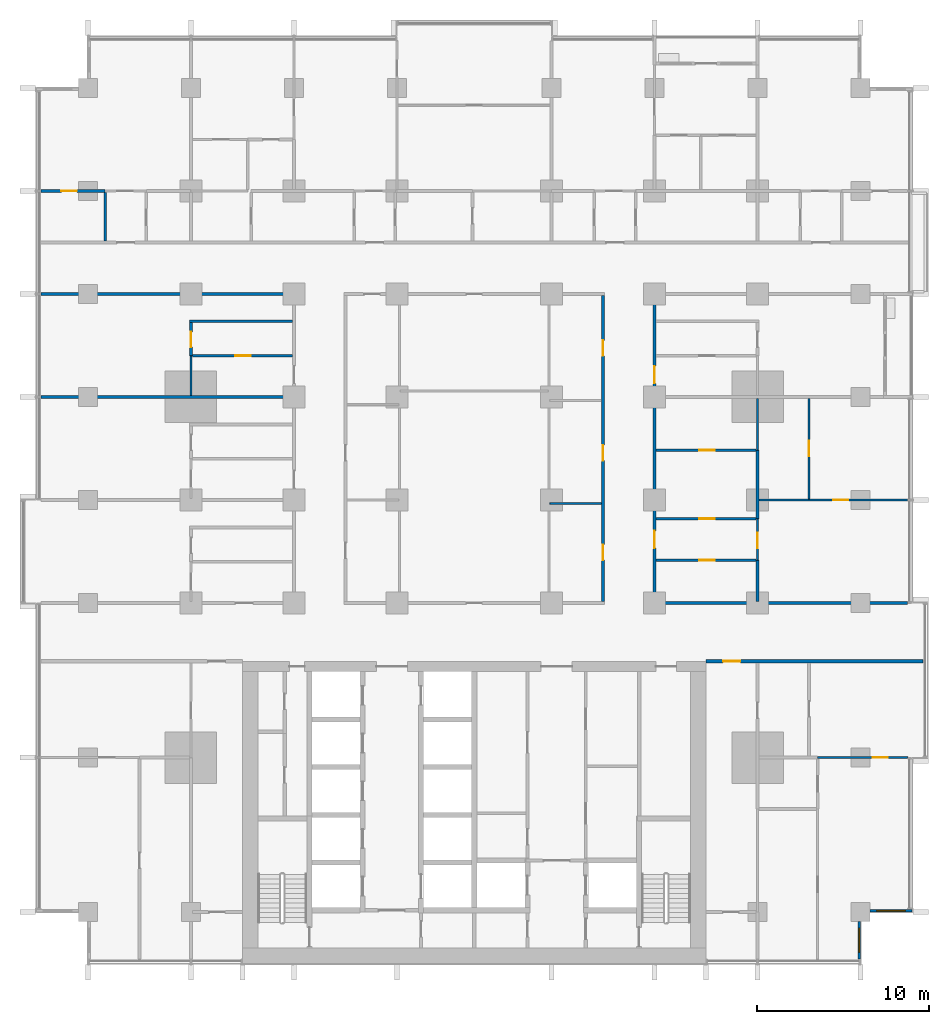
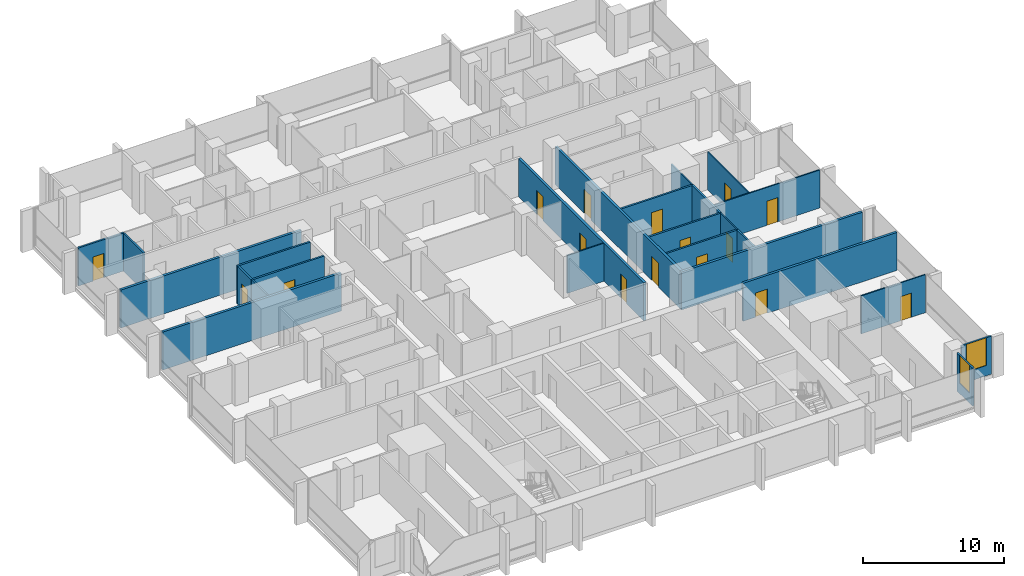
# One storey, part 10 of 18: 25 walls, 16 doors, 2 windows, 18 openings.
"""IFC4 building model written with IfcOpenShell, lengths in metres."""

from ifc_helpers import new_model, si_unit, direction, frame, frame_2d, origin, place, context, subcontext, project, spatial, rectangle, extrude, material, layer, layer_set, type_object, element, fill, save


model = new_model("IFC4")

# Units and contexts
model_context = context("Model", 3, precision=1e-05, world=origin(), true_north=direction((0.0, 1.0)))
body_context = subcontext(model_context, "Body", "Model", "MODEL_VIEW")
ifc_project = project(units=[si_unit("LENGTHUNIT", "METRE"), si_unit("AREAUNIT", "SQUARE_METRE"), si_unit("VOLUMEUNIT", "CUBIC_METRE"), si_unit("PLANEANGLEUNIT", "RADIAN"), si_unit("MASSUNIT", "GRAM", prefix="KILO")], contexts=[model_context])

# Site, building, storey
site_placement = place(None, origin())
site = spatial("IfcSite", under=ifc_project, at=site_placement, CompositionType="ELEMENT")
building_placement = place(site_placement, origin())
building = spatial("IfcBuilding", under=site, at=building_placement, Name="Finial Court Residences", CompositionType="ELEMENT")
storey_placement = place(building_placement, frame((0.0, 0.0, 68.5)))
storey = spatial("IfcBuildingStorey", under=building, at=storey_placement, Name="L16", CompositionType="ELEMENT", Elevation=68.5)

# Wall
ifc_material_1 = material(Name="Gypsum board")
ifc_layer_1 = layer(ifc_material_1, 0.02490234375)
ifc_material_2 = material(Name="Acoustic mineral wool in double frame")
ifc_layer_2 = layer(ifc_material_2, 0.14990234375)
ifc_layer_3 = layer(ifc_material_1, 0.02490234375)
ifc_layer_set_1 = layer_set([ifc_layer_1, ifc_layer_2, ifc_layer_3], Name="Acoustic party wall 200, 1 hour")
wall_type_1 = type_object("IfcWallType", Name="Acoustic party wall 200, 1 hour", PredefinedType="PARTITIONING", material=ifc_layer_set_1)
wall_1_placement = place(storey_placement, frame((-25.25, 7.5, 0.0), z_axis=(0.0, 0.0, 1.0), x_axis=(1.0, 0.0, 0.0)))
element("IfcWall", 1, at=wall_1_placement, inside=storey, type_object=wall_type_1, Name="Partition L16-025", PredefinedType="PARTITIONING", context=body_context, shape_type="SweptSolid", body=[
    extrude(rectangle(XDim=14.64990234375, YDim=0.199951171875, at=frame_2d((7.324951171875, 0.0))), origin(), (0.0, 0.0, 1.0), 3.300048828125),
])

# Wall, opening, door
ifc_layer_4 = layer(ifc_material_1, 0.02490234375)
ifc_layer_5 = layer(ifc_material_2, 0.14990234375)
ifc_layer_6 = layer(ifc_material_1, 0.02490234375)
ifc_layer_set_2 = layer_set([ifc_layer_4, ifc_layer_5, ifc_layer_6], Name="Corridor wall 200, 1 hour")
wall_type_2 = type_object("IfcWallType", Name="Corridor wall 200, 1 hour", PredefinedType="PARTITIONING", material=ifc_layer_set_2)
wall_2_placement = place(storey_placement, frame((13.5, -7.89990234375, 0.0), z_axis=(0.0, 0.0, 1.0), x_axis=(1.0, 0.0, 0.0)))
wall_2 = element("IfcWall", 2, at=wall_2_placement, inside=storey, type_object=wall_type_2, Name="Partition L16-008", PredefinedType="PARTITIONING", context=body_context, shape_type="SweptSolid", body=[
    extrude(rectangle(XDim=12.64990234375, YDim=0.199951171875, at=frame_2d((6.324951171875, 0.0))), origin(), (0.0, 0.0, 1.0), 3.300048828125),
])
opening_1_placement = place(wall_2_placement, frame((1.0, 0.0, 0.0)))
opening_1 = element("IfcOpeningElement", 3, at=opening_1_placement, cuts=wall_2, Name="Opening L16-D006", PredefinedType="OPENING", context=body_context, shape_type="SweptSolid", body=[
    extrude(rectangle(XDim=1.0, YDim=2.10009765625, at=frame_2d((0.5, 1.050048828125))), frame((0.0, 0.10986328125, 0.0), z_axis=(0.0, -1.0, 0.0), x_axis=(1.0, 0.0, 0.0)), (0.0, 0.0, 1.0), 0.219970703125),
])
ifc_material_3 = material(Name="Timber door leaf in hollow metal frame", Category="wood")
door_type_1 = type_object("IfcDoorType", Name="Fire door set 1000 x 2100, 30 minutes", OperationType="SINGLE_SWING_LEFT", PredefinedType="DOOR", material=ifc_material_3)
door_1_placement = place(opening_1_placement, origin())
door_1 = element("IfcDoor", 4, at=door_1_placement, inside=storey, type_object=door_type_1, Name="Door L16-D006", OperationType="SINGLE_SWING_LEFT", OverallHeight=2.10009765625, OverallWidth=1.0, PredefinedType="DOOR", context=body_context, shape_type="SweptSolid", body=[
    extrude(rectangle(XDim=1.0, YDim=2.10009765625, at=frame_2d((0.5, 1.050048828125))), frame((0.0, 0.02490234375, 0.0), z_axis=(0.0, -1.0, 0.0), x_axis=(1.0, 0.0, 0.0)), (0.0, 0.0, 1.0), 0.050048828125),
])
fill(opening_1, door_1)

# Walls
for number, where, z_axis, x_axis, name in (
    (5, (10.39990234375, -4.5, 0.0), (0.0, 0.0, 1.0), (1.0, 0.0, 0.0), "Partition L16-011"),
    (6, (-25.25, 13.5, 0.0), (0.0, 0.0, 1.0), (1.0, 0.0, 0.0), "Partition L16-032"),
):
    element("IfcWall", number, at=place(storey_placement, frame(where, z_axis=z_axis, x_axis=x_axis)), inside=storey, type_object=wall_type_2, Name=name, PredefinedType="PARTITIONING", context=body_context, shape_type="SweptSolid", body=[
        extrude(rectangle(XDim=14.85009765625, YDim=0.199951171875, at=frame_2d((7.425048828125, 0.0))), origin(), (0.0, 0.0, 1.0), 3.300048828125),
    ])

# Wall, openings, doors
wall_3_placement = place(storey_placement, frame((7.5, -4.39990234375, 0.0), z_axis=(0.0, 0.0, 1.0), x_axis=(0.0, 1.0, 0.0)))
wall_3 = element("IfcWall", 7, at=wall_3_placement, inside=storey, type_object=wall_type_2, Name="Partition L16-082", PredefinedType="PARTITIONING", context=body_context, shape_type="SweptSolid", body=[
    extrude(rectangle(XDim=17.7998046875, YDim=0.199951171875, at=frame_2d((8.89990234375, 0.0))), origin(), (0.0, 0.0, 1.0), 3.300048828125),
])
opening_2_placement = place(wall_3_placement, frame((2.39990234375, 0.0, 0.0)))
opening_2 = element("IfcOpeningElement", 8, at=opening_2_placement, cuts=wall_3, Name="Opening L16-D051", PredefinedType="OPENING", context=body_context, shape_type="SweptSolid", body=[
    extrude(rectangle(XDim=0.89990234375, YDim=2.10009765625, at=frame_2d((0.449951171875, 1.050048828125))), frame((0.0, 0.10986328125, 0.0), z_axis=(0.0, -1.0, 0.0), x_axis=(1.0, 0.0, 0.0)), (0.0, 0.0, 1.0), 0.219970703125),
])
opening_3_placement = place(wall_3_placement, frame((8.199951171875, 0.0, 0.0)))
opening_3 = element("IfcOpeningElement", 9, at=opening_3_placement, cuts=wall_3, Name="Opening L16-D052", PredefinedType="OPENING", context=body_context, shape_type="SweptSolid", body=[
    extrude(rectangle(XDim=0.89990234375, YDim=2.10009765625, at=frame_2d((0.449951171875, 1.050048828125))), frame((0.0, 0.10986328125, 0.0), z_axis=(0.0, -1.0, 0.0), x_axis=(1.0, 0.0, 0.0)), (0.0, 0.0, 1.0), 0.219970703125),
])
opening_4_placement = place(wall_3_placement, frame((14.300048828125, 0.0, 0.0)))
opening_4 = element("IfcOpeningElement", 10, at=opening_4_placement, cuts=wall_3, Name="Opening L16-D053", PredefinedType="OPENING", context=body_context, shape_type="SweptSolid", body=[
    extrude(rectangle(XDim=0.89990234375, YDim=2.10009765625, at=frame_2d((0.449951171875, 1.050048828125))), frame((0.0, 0.10986328125, 0.0), z_axis=(0.0, -1.0, 0.0), x_axis=(1.0, 0.0, 0.0)), (0.0, 0.0, 1.0), 0.219970703125),
])
door_type_2 = type_object("IfcDoorType", Name="Fire door set 900 x 2100, 30 minutes", OperationType="SINGLE_SWING_LEFT", PredefinedType="DOOR", material=ifc_material_3)
door_2_placement = place(opening_2_placement, origin())
door_2 = element("IfcDoor", 11, at=door_2_placement, inside=storey, type_object=door_type_2, Name="Door L16-D051", OperationType="SINGLE_SWING_RIGHT", OverallHeight=2.10009765625, OverallWidth=0.89990234375, PredefinedType="DOOR", context=body_context, shape_type="SweptSolid", body=[
    extrude(rectangle(XDim=0.89990234375, YDim=2.10009765625, at=frame_2d((0.449951171875, 1.050048828125))), frame((0.0, 0.02490234375, 0.0), z_axis=(0.0, -1.0, 0.0), x_axis=(1.0, 0.0, 0.0)), (0.0, 0.0, 1.0), 0.050048828125),
])
fill(opening_2, door_2)
door_3_placement = place(opening_3_placement, origin())
door_3 = element("IfcDoor", 12, at=door_3_placement, inside=storey, type_object=door_type_2, Name="Door L16-D052", OperationType="SINGLE_SWING_RIGHT", OverallHeight=2.10009765625, OverallWidth=0.89990234375, PredefinedType="DOOR", context=body_context, shape_type="SweptSolid", body=[
    extrude(rectangle(XDim=0.89990234375, YDim=2.10009765625, at=frame_2d((0.449951171875, 1.050048828125))), frame((0.0, 0.02490234375, 0.0), z_axis=(0.0, -1.0, 0.0), x_axis=(1.0, 0.0, 0.0)), (0.0, 0.0, 1.0), 0.050048828125),
])
fill(opening_3, door_3)
door_4_placement = place(opening_4_placement, origin())
door_4 = element("IfcDoor", 13, at=door_4_placement, inside=storey, type_object=door_type_2, Name="Door L16-D053", OperationType="SINGLE_SWING_LEFT", OverallHeight=2.10009765625, OverallWidth=0.89990234375, PredefinedType="DOOR", context=body_context, shape_type="SweptSolid", body=[
    extrude(rectangle(XDim=0.89990234375, YDim=2.10009765625, at=frame_2d((0.449951171875, 1.050048828125))), frame((0.0, 0.02490234375, 0.0), z_axis=(0.0, -1.0, 0.0), x_axis=(1.0, 0.0, 0.0)), (0.0, 0.0, 1.0), 0.050048828125),
])
fill(opening_4, door_4)

wall_4_placement = place(storey_placement, frame((10.5, -4.39990234375, 0.0), z_axis=(0.0, 0.0, 1.0), x_axis=(0.0, 1.0, 0.0)))
wall_4 = element("IfcWall", 14, at=wall_4_placement, inside=storey, type_object=wall_type_2, Name="Partition L16-084", PredefinedType="PARTITIONING", context=body_context, shape_type="SweptSolid", body=[
    extrude(rectangle(XDim=17.7998046875, YDim=0.199951171875, at=frame_2d((8.89990234375, 0.0))), origin(), (0.0, 0.0, 1.0), 3.300048828125),
])
opening_5_placement = place(wall_4_placement, frame((3.10009765625, 0.0, 0.0)))
opening_5 = element("IfcOpeningElement", 15, at=opening_5_placement, cuts=wall_4, Name="Opening L16-D055", PredefinedType="OPENING", context=body_context, shape_type="SweptSolid", body=[
    extrude(rectangle(XDim=1.0, YDim=2.10009765625, at=frame_2d((0.5, 1.050048828125))), frame((0.0, 0.10986328125, 0.0), z_axis=(0.0, -1.0, 0.0), x_axis=(1.0, 0.0, 0.0)), (0.0, 0.0, 1.0), 0.219970703125),
])
opening_6_placement = place(wall_4_placement, frame((12.699951171875, 0.0, 0.0)))
opening_6 = element("IfcOpeningElement", 16, at=opening_6_placement, cuts=wall_4, Name="Opening L16-D056", PredefinedType="OPENING", context=body_context, shape_type="SweptSolid", body=[
    extrude(rectangle(XDim=1.0, YDim=2.10009765625, at=frame_2d((0.5, 1.050048828125))), frame((0.0, 0.10986328125, 0.0), z_axis=(0.0, -1.0, 0.0), x_axis=(1.0, 0.0, 0.0)), (0.0, 0.0, 1.0), 0.219970703125),
])
door_5_placement = place(opening_5_placement, origin())
door_5 = element("IfcDoor", 17, at=door_5_placement, inside=storey, type_object=door_type_1, Name="Door L16-D055", OperationType="SINGLE_SWING_LEFT", OverallHeight=2.10009765625, OverallWidth=1.0, PredefinedType="DOOR", context=body_context, shape_type="SweptSolid", body=[
    extrude(rectangle(XDim=1.0, YDim=2.10009765625, at=frame_2d((0.5, 1.050048828125))), frame((0.0, 0.02490234375, 0.0), z_axis=(0.0, -1.0, 0.0), x_axis=(1.0, 0.0, 0.0)), (0.0, 0.0, 1.0), 0.050048828125),
])
fill(opening_5, door_5)
door_6_placement = place(opening_6_placement, origin())
door_6 = element("IfcDoor", 18, at=door_6_placement, inside=storey, type_object=door_type_1, Name="Door L16-D056", OperationType="SINGLE_SWING_RIGHT", OverallHeight=2.10009765625, OverallWidth=1.0, PredefinedType="DOOR", context=body_context, shape_type="SweptSolid", body=[
    extrude(rectangle(XDim=1.0, YDim=2.10009765625, at=frame_2d((0.5, 1.050048828125))), frame((0.0, 0.02490234375, 0.0), z_axis=(0.0, -1.0, 0.0), x_axis=(1.0, 0.0, 0.0)), (0.0, 0.0, 1.0), 0.050048828125),
])
fill(opening_6, door_6)

# Wall, opening, door
ifc_layer_7 = layer(ifc_material_1, 0.012451171875)
ifc_material_4 = material(Name="Mineral wool in light-gauge frame")
ifc_layer_8 = layer(ifc_material_4, 0.074951171875)
ifc_layer_9 = layer(ifc_material_1, 0.012451171875)
ifc_layer_set_3 = layer_set([ifc_layer_7, ifc_layer_8, ifc_layer_9], Name="Gypsum board partition 100")
wall_type_3 = type_object("IfcWallType", Name="Gypsum board partition 100", PredefinedType="PARTITIONING", material=ifc_layer_set_3)
wall_5_placement = place(storey_placement, frame((20.0, -13.5, 0.0), z_axis=(0.0, 0.0, 1.0), x_axis=(1.0, 0.0, 0.0)))
wall_5 = element("IfcWall", 19, at=wall_5_placement, inside=storey, type_object=wall_type_3, Name="Partition L16-004", PredefinedType="PARTITIONING", context=body_context, shape_type="SweptSolid", body=[
    extrude(rectangle(XDim=5.25, YDim=0.10009765625, at=frame_2d((2.625, 0.0))), origin(), (0.0, 0.0, 1.0), 3.300048828125),
])
opening_7_placement = place(wall_5_placement, frame((3.199951171875, 0.0, 0.0)))
opening_7 = element("IfcOpeningElement", 20, at=opening_7_placement, cuts=wall_5, Name="Opening L16-D004", PredefinedType="OPENING", context=body_context, shape_type="SweptSolid", body=[
    extrude(rectangle(XDim=0.89990234375, YDim=2.10009765625, at=frame_2d((0.449951171875, 1.050048828125))), frame((0.0, 0.06005859375, 0.0), z_axis=(0.0, -1.0, 0.0), x_axis=(1.0, 0.0, 0.0)), (0.0, 0.0, 1.0), 0.1201171875),
])
ifc_material_5 = material(Name="Timber door leaf in timber frame", Category="wood")
door_type_3 = type_object("IfcDoorType", Name="Door set 900 x 2100", OperationType="SINGLE_SWING_LEFT", PredefinedType="DOOR", material=ifc_material_5)
door_7_placement = place(opening_7_placement, origin())
door_7 = element("IfcDoor", 21, at=door_7_placement, inside=storey, type_object=door_type_3, Name="Door L16-D004", OperationType="SINGLE_SWING_RIGHT", OverallHeight=2.10009765625, OverallWidth=0.89990234375, PredefinedType="DOOR", context=body_context, shape_type="SweptSolid", body=[
    extrude(rectangle(XDim=0.89990234375, YDim=2.10009765625, at=frame_2d((0.449951171875, 1.050048828125))), frame((0.0, 0.02490234375, 0.0), z_axis=(0.0, -1.0, 0.0), x_axis=(1.0, 0.0, 0.0)), (0.0, 0.0, 1.0), 0.050048828125),
])
fill(opening_7, door_7)

# Wall
wall_6_placement = place(storey_placement, frame((4.39990234375, 1.300048828125, 0.0), z_axis=(0.0, 0.0, 1.0), x_axis=(1.0, 0.0, 0.0)))
element("IfcWall", 22, at=wall_6_placement, inside=storey, type_object=wall_type_3, Name="Partition L16-016", PredefinedType="PARTITIONING", context=body_context, shape_type="SweptSolid", body=[
    extrude(rectangle(XDim=3.0, YDim=0.10009765625, at=frame_2d((1.5, 0.0))), origin(), (0.0, 0.0, 1.0), 3.300048828125),
])

# Wall, opening, door
wall_7_placement = place(storey_placement, frame((16.574951171875, 1.5, 0.0), z_axis=(0.0, 0.0, 1.0), x_axis=(1.0, 0.0, 0.0)))
wall_7 = element("IfcWall", 23, at=wall_7_placement, inside=storey, type_object=wall_type_3, Name="Partition L16-018", PredefinedType="PARTITIONING", context=body_context, shape_type="SweptSolid", body=[
    extrude(rectangle(XDim=8.675048828125, YDim=0.10009765625, at=frame_2d((4.33740234375, 0.0))), origin(), (0.0, 0.0, 1.0), 3.300048828125),
])
opening_8_placement = place(wall_7_placement, frame((4.324951171875, 0.0, 0.0)))
opening_8 = element("IfcOpeningElement", 24, at=opening_8_placement, cuts=wall_7, Name="Opening L16-D011", PredefinedType="OPENING", context=body_context, shape_type="SweptSolid", body=[
    extrude(rectangle(XDim=0.89990234375, YDim=2.10009765625, at=frame_2d((0.449951171875, 1.050048828125))), frame((0.0, 0.06005859375, 0.0), z_axis=(0.0, -1.0, 0.0), x_axis=(1.0, 0.0, 0.0)), (0.0, 0.0, 1.0), 0.1201171875),
])
door_8_placement = place(opening_8_placement, origin())
door_8 = element("IfcDoor", 25, at=door_8_placement, inside=storey, type_object=door_type_3, Name="Door L16-D011", OperationType="SINGLE_SWING_LEFT", OverallHeight=2.10009765625, OverallWidth=0.89990234375, PredefinedType="DOOR", context=body_context, shape_type="SweptSolid", body=[
    extrude(rectangle(XDim=0.89990234375, YDim=2.10009765625, at=frame_2d((0.449951171875, 1.050048828125))), frame((0.0, 0.02490234375, 0.0), z_axis=(0.0, -1.0, 0.0), x_axis=(1.0, 0.0, 0.0)), (0.0, 0.0, 1.0), 0.050048828125),
])
fill(opening_8, door_8)

# Wall
wall_8_placement = place(storey_placement, frame((-16.5, 7.60009765625, 0.0), z_axis=(0.0, 0.0, 1.0), x_axis=(0.0, 1.0, 0.0)))
element("IfcWall", 26, at=wall_8_placement, inside=storey, type_object=wall_type_3, Name="Partition L16-060", PredefinedType="PARTITIONING", context=body_context, shape_type="SweptSolid", body=[
    extrude(rectangle(XDim=2.2998046875, YDim=0.10009765625, at=frame_2d((1.14990234375, 0.0))), origin(), (0.0, 0.0, 1.0), 3.300048828125),
])

# Wall, opening, door
wall_9_placement = place(storey_placement, frame((16.5, -2.0, 0.0), z_axis=(0.0, 0.0, 1.0), x_axis=(0.0, 1.0, 0.0)))
wall_9 = element("IfcWall", 27, at=wall_9_placement, inside=storey, type_object=wall_type_3, Name="Partition L16-089", PredefinedType="PARTITIONING", context=body_context, shape_type="SweptSolid", body=[
    extrude(rectangle(XDim=2.39990234375, YDim=0.10009765625, at=frame_2d((1.199951171875, 0.0))), origin(), (0.0, 0.0, 1.0), 3.300048828125),
])
opening_9_placement = place(wall_9_placement, frame((0.699951171875, 0.0, 0.0)))
opening_9 = element("IfcOpeningElement", 28, at=opening_9_placement, cuts=wall_9, Name="Opening L16-D058", PredefinedType="OPENING", context=body_context, shape_type="SweptSolid", body=[
    extrude(rectangle(XDim=0.89990234375, YDim=2.10009765625, at=frame_2d((0.449951171875, 1.050048828125))), frame((0.0, 0.06005859375, 0.0), z_axis=(0.0, -1.0, 0.0), x_axis=(1.0, 0.0, 0.0)), (0.0, 0.0, 1.0), 0.1201171875),
])
door_9_placement = place(opening_9_placement, origin())
door_9 = element("IfcDoor", 29, at=door_9_placement, inside=storey, type_object=door_type_3, Name="Door L16-D058", OperationType="SINGLE_SWING_RIGHT", OverallHeight=2.10009765625, OverallWidth=0.89990234375, PredefinedType="DOOR", context=body_context, shape_type="SweptSolid", body=[
    extrude(rectangle(XDim=0.89990234375, YDim=2.10009765625, at=frame_2d((0.449951171875, 1.050048828125))), frame((0.0, 0.02490234375, 0.0), z_axis=(0.0, -1.0, 0.0), x_axis=(1.0, 0.0, 0.0)), (0.0, 0.0, 1.0), 0.050048828125),
])
fill(opening_9, door_9)

# Wall
wall_10_placement = place(storey_placement, frame((16.5, 4.39990234375, 0.0), z_axis=(0.0, 0.0, 1.0), x_axis=(0.0, 1.0, 0.0)))
element("IfcWall", 30, at=wall_10_placement, inside=storey, type_object=wall_type_3, Name="Partition L16-090", PredefinedType="PARTITIONING", context=body_context, shape_type="SweptSolid", body=[
    extrude(rectangle(XDim=3.0, YDim=0.10009765625, at=frame_2d((1.5, 0.0))), origin(), (0.0, 0.0, 1.0), 3.300048828125),
])

# Wall, opening, door
wall_11_placement = place(storey_placement, frame((19.5, 1.550048828125, 0.0), z_axis=(0.0, 0.0, 1.0), x_axis=(0.0, 1.0, 0.0)))
wall_11 = element("IfcWall", 31, at=wall_11_placement, inside=storey, type_object=wall_type_3, Name="Partition L16-100", PredefinedType="PARTITIONING", context=body_context, shape_type="SweptSolid", body=[
    extrude(rectangle(XDim=5.849853515625, YDim=0.10009765625, at=frame_2d((2.9248046875, 0.0))), origin(), (0.0, 0.0, 1.0), 3.300048828125),
])
opening_10_placement = place(wall_11_placement, frame((2.5, 0.0, 0.0)))
opening_10 = element("IfcOpeningElement", 32, at=opening_10_placement, cuts=wall_11, Name="Opening L16-D062", PredefinedType="OPENING", context=body_context, shape_type="SweptSolid", body=[
    extrude(rectangle(XDim=0.89990234375, YDim=2.10009765625, at=frame_2d((0.449951171875, 1.050048828125))), frame((0.0, 0.06005859375, 0.0), z_axis=(0.0, -1.0, 0.0), x_axis=(1.0, 0.0, 0.0)), (0.0, 0.0, 1.0), 0.1201171875),
])
door_10_placement = place(opening_10_placement, origin())
door_10 = element("IfcDoor", 33, at=door_10_placement, inside=storey, type_object=door_type_3, Name="Door L16-D062", OperationType="SINGLE_SWING_RIGHT", OverallHeight=2.10009765625, OverallWidth=0.89990234375, PredefinedType="DOOR", context=body_context, shape_type="SweptSolid", body=[
    extrude(rectangle(XDim=0.89990234375, YDim=2.10009765625, at=frame_2d((0.449951171875, 1.050048828125))), frame((0.0, 0.02490234375, 0.0), z_axis=(0.0, -1.0, 0.0), x_axis=(1.0, 0.0, 0.0)), (0.0, 0.0, 1.0), 0.050048828125),
])
fill(opening_10, door_10)

ifc_material_6 = material(Name="Moisture-resistant gypsum board")
ifc_layer_10 = layer(ifc_material_6, 0.012451171875)
ifc_layer_11 = layer(ifc_material_4, 0.125)
ifc_layer_12 = layer(ifc_material_6, 0.012451171875)
ifc_layer_set_4 = layer_set([ifc_layer_10, ifc_layer_11, ifc_layer_12], Name="Gypsum board wet-area partition 150")
wall_type_4 = type_object("IfcWallType", Name="Gypsum board wet-area partition 150", PredefinedType="PARTITIONING", material=ifc_layer_set_4)
wall_12_placement = place(storey_placement, frame((10.60009765625, -2.0, 0.0), z_axis=(0.0, 0.0, 1.0), x_axis=(1.0, 0.0, 0.0)))
wall_12 = element("IfcWall", 34, at=wall_12_placement, inside=storey, type_object=wall_type_4, Name="Partition L16-013", PredefinedType="PARTITIONING", context=body_context, shape_type="SweptSolid", body=[
    extrude(rectangle(XDim=5.824951171875, YDim=0.14990234375, at=frame_2d((2.91259765625, 0.0))), origin(), (0.0, 0.0, 1.0), 3.300048828125),
])
opening_11_placement = place(wall_12_placement, frame((2.5, 0.0, 0.0)))
opening_11 = element("IfcOpeningElement", 35, at=opening_11_placement, cuts=wall_12, Name="Opening L16-D009", PredefinedType="OPENING", context=body_context, shape_type="SweptSolid", body=[
    extrude(rectangle(XDim=0.89990234375, YDim=2.10009765625, at=frame_2d((0.449951171875, 1.050048828125))), frame((0.0, 0.0849609375, 0.0), z_axis=(0.0, -1.0, 0.0), x_axis=(1.0, 0.0, 0.0)), (0.0, 0.0, 1.0), 0.169921875),
])
door_11_placement = place(opening_11_placement, origin())
door_11 = element("IfcDoor", 36, at=door_11_placement, inside=storey, type_object=door_type_3, Name="Door L16-D009", OperationType="SINGLE_SWING_LEFT", OverallHeight=2.10009765625, OverallWidth=0.89990234375, PredefinedType="DOOR", context=body_context, shape_type="SweptSolid", body=[
    extrude(rectangle(XDim=0.89990234375, YDim=2.10009765625, at=frame_2d((0.449951171875, 1.050048828125))), frame((0.0, 0.02490234375, 0.0), z_axis=(0.0, -1.0, 0.0), x_axis=(1.0, 0.0, 0.0)), (0.0, 0.0, 1.0), 0.050048828125),
])
fill(opening_11, door_11)

wall_13_placement = place(storey_placement, frame((10.60009765625, 0.39990234375, 0.0), z_axis=(0.0, 0.0, 1.0), x_axis=(1.0, 0.0, 0.0)))
wall_13 = element("IfcWall", 37, at=wall_13_placement, inside=storey, type_object=wall_type_4, Name="Partition L16-015", PredefinedType="PARTITIONING", context=body_context, shape_type="SweptSolid", body=[
    extrude(rectangle(XDim=5.824951171875, YDim=0.14990234375, at=frame_2d((2.91259765625, 0.0))), origin(), (0.0, 0.0, 1.0), 3.300048828125),
])
opening_12_placement = place(wall_13_placement, frame((2.5, 0.0, 0.0)))
opening_12 = element("IfcOpeningElement", 38, at=opening_12_placement, cuts=wall_13, Name="Opening L16-D010", PredefinedType="OPENING", context=body_context, shape_type="SweptSolid", body=[
    extrude(rectangle(XDim=0.89990234375, YDim=2.10009765625, at=frame_2d((0.449951171875, 1.050048828125))), frame((0.0, 0.0849609375, 0.0), z_axis=(0.0, -1.0, 0.0), x_axis=(1.0, 0.0, 0.0)), (0.0, 0.0, 1.0), 0.169921875),
])
door_12_placement = place(opening_12_placement, origin())
door_12 = element("IfcDoor", 39, at=door_12_placement, inside=storey, type_object=door_type_3, Name="Door L16-D010", OperationType="SINGLE_SWING_RIGHT", OverallHeight=2.10009765625, OverallWidth=0.89990234375, PredefinedType="DOOR", context=body_context, shape_type="SweptSolid", body=[
    extrude(rectangle(XDim=0.89990234375, YDim=2.10009765625, at=frame_2d((0.449951171875, 1.050048828125))), frame((0.0, 0.02490234375, 0.0), z_axis=(0.0, -1.0, 0.0), x_axis=(1.0, 0.0, 0.0)), (0.0, 0.0, 1.0), 0.050048828125),
])
fill(opening_12, door_12)

wall_14_placement = place(storey_placement, frame((10.60009765625, 4.39990234375, 0.0), z_axis=(0.0, 0.0, 1.0), x_axis=(1.0, 0.0, 0.0)))
wall_14 = element("IfcWall", 40, at=wall_14_placement, inside=storey, type_object=wall_type_4, Name="Partition L16-021", PredefinedType="PARTITIONING", context=body_context, shape_type="SweptSolid", body=[
    extrude(rectangle(XDim=5.824951171875, YDim=0.14990234375, at=frame_2d((2.91259765625, 0.0))), origin(), (0.0, 0.0, 1.0), 3.300048828125),
])
opening_13_placement = place(wall_14_placement, frame((2.5, 0.0, 0.0)))
opening_13 = element("IfcOpeningElement", 41, at=opening_13_placement, cuts=wall_14, Name="Opening L16-D012", PredefinedType="OPENING", context=body_context, shape_type="SweptSolid", body=[
    extrude(rectangle(XDim=0.89990234375, YDim=2.10009765625, at=frame_2d((0.449951171875, 1.050048828125))), frame((0.0, 0.0849609375, 0.0), z_axis=(0.0, -1.0, 0.0), x_axis=(1.0, 0.0, 0.0)), (0.0, 0.0, 1.0), 0.169921875),
])
door_13_placement = place(opening_13_placement, origin())
door_13 = element("IfcDoor", 42, at=door_13_placement, inside=storey, type_object=door_type_3, Name="Door L16-D012", OperationType="SINGLE_SWING_LEFT", OverallHeight=2.10009765625, OverallWidth=0.89990234375, PredefinedType="DOOR", context=body_context, shape_type="SweptSolid", body=[
    extrude(rectangle(XDim=0.89990234375, YDim=2.10009765625, at=frame_2d((0.449951171875, 1.050048828125))), frame((0.0, 0.02490234375, 0.0), z_axis=(0.0, -1.0, 0.0), x_axis=(1.0, 0.0, 0.0)), (0.0, 0.0, 1.0), 0.050048828125),
])
fill(opening_13, door_13)

wall_15_placement = place(storey_placement, frame((-16.425048828125, 9.89990234375, 0.0), z_axis=(0.0, 0.0, 1.0), x_axis=(1.0, 0.0, 0.0)))
wall_15 = element("IfcWall", 43, at=wall_15_placement, inside=storey, type_object=wall_type_4, Name="Partition L16-028", PredefinedType="PARTITIONING", context=body_context, shape_type="SweptSolid", body=[
    extrude(rectangle(XDim=5.824951171875, YDim=0.14990234375, at=frame_2d((2.91259765625, 0.0))), origin(), (0.0, 0.0, 1.0), 3.300048828125),
])
opening_14_placement = place(wall_15_placement, frame((2.5, 0.0, 0.0)))
opening_14 = element("IfcOpeningElement", 44, at=opening_14_placement, cuts=wall_15, Name="Opening L16-D013", PredefinedType="OPENING", context=body_context, shape_type="SweptSolid", body=[
    extrude(rectangle(XDim=0.89990234375, YDim=2.10009765625, at=frame_2d((0.449951171875, 1.050048828125))), frame((0.0, 0.0849609375, 0.0), z_axis=(0.0, -1.0, 0.0), x_axis=(1.0, 0.0, 0.0)), (0.0, 0.0, 1.0), 0.169921875),
])
door_14_placement = place(opening_14_placement, origin())
door_14 = element("IfcDoor", 45, at=door_14_placement, inside=storey, type_object=door_type_3, Name="Door L16-D013", OperationType="SINGLE_SWING_LEFT", OverallHeight=2.10009765625, OverallWidth=0.89990234375, PredefinedType="DOOR", context=body_context, shape_type="SweptSolid", body=[
    extrude(rectangle(XDim=0.89990234375, YDim=2.10009765625, at=frame_2d((0.449951171875, 1.050048828125))), frame((0.0, 0.02490234375, 0.0), z_axis=(0.0, -1.0, 0.0), x_axis=(1.0, 0.0, 0.0)), (0.0, 0.0, 1.0), 0.050048828125),
])
fill(opening_14, door_14)

# Wall
wall_16_placement = place(storey_placement, frame((-16.574951171875, 11.89990234375, 0.0), z_axis=(0.0, 0.0, 1.0), x_axis=(1.0, 0.0, 0.0)))
element("IfcWall", 46, at=wall_16_placement, inside=storey, type_object=wall_type_4, Name="Partition L16-030", PredefinedType="PARTITIONING", context=body_context, shape_type="SweptSolid", body=[
    extrude(rectangle(XDim=5.974853515625, YDim=0.14990234375, at=frame_2d((2.9873046875, 0.0))), origin(), (0.0, 0.0, 1.0), 3.300048828125),
])

# Wall, opening, door
wall_17_placement = place(storey_placement, frame((-25.25, 19.5, 0.0), z_axis=(0.0, 0.0, 1.0), x_axis=(1.0, 0.0, 0.0)))
wall_17 = element("IfcWall", 47, at=wall_17_placement, inside=storey, type_object=wall_type_4, Name="Partition L16-042", PredefinedType="PARTITIONING", context=body_context, shape_type="SweptSolid", body=[
    extrude(rectangle(XDim=3.75, YDim=0.14990234375, at=frame_2d((1.875, 0.0))), origin(), (0.0, 0.0, 1.0), 3.300048828125),
])
opening_15_placement = place(wall_17_placement, frame((1.199951171875, 0.0, 0.0)))
opening_15 = element("IfcOpeningElement", 48, at=opening_15_placement, cuts=wall_17, Name="Opening L16-D025", PredefinedType="OPENING", context=body_context, shape_type="SweptSolid", body=[
    extrude(rectangle(XDim=0.89990234375, YDim=2.10009765625, at=frame_2d((0.449951171875, 1.050048828125))), frame((0.0, 0.0849609375, 0.0), z_axis=(0.0, -1.0, 0.0), x_axis=(1.0, 0.0, 0.0)), (0.0, 0.0, 1.0), 0.169921875),
])
door_15_placement = place(opening_15_placement, origin())
door_15 = element("IfcDoor", 49, at=door_15_placement, inside=storey, type_object=door_type_3, Name="Door L16-D025", OperationType="SINGLE_SWING_LEFT", OverallHeight=2.10009765625, OverallWidth=0.89990234375, PredefinedType="DOOR", context=body_context, shape_type="SweptSolid", body=[
    extrude(rectangle(XDim=0.89990234375, YDim=2.10009765625, at=frame_2d((0.449951171875, 1.050048828125))), frame((0.0, 0.02490234375, 0.0), z_axis=(0.0, -1.0, 0.0), x_axis=(1.0, 0.0, 0.0)), (0.0, 0.0, 1.0), 0.050048828125),
])
fill(opening_15, door_15)

# Wall
wall_18_placement = place(storey_placement, frame((-21.5, 16.60009765625, 0.0), z_axis=(0.0, 0.0, 1.0), x_axis=(0.0, 1.0, 0.0)))
element("IfcWall", 50, at=wall_18_placement, inside=storey, type_object=wall_type_4, Name="Partition L16-054", PredefinedType="PARTITIONING", context=body_context, shape_type="SweptSolid", body=[
    extrude(rectangle(XDim=2.824951171875, YDim=0.14990234375, at=frame_2d((1.41259765625, 0.0))), origin(), (0.0, 0.0, 1.0), 3.300048828125),
])

# Wall, opening, door
wall_19_placement = place(storey_placement, frame((-16.5, 9.89990234375, 0.0), z_axis=(0.0, 0.0, 1.0), x_axis=(0.0, 1.0, 0.0)))
wall_19 = element("IfcWall", 51, at=wall_19_placement, inside=storey, type_object=wall_type_4, Name="Partition L16-066", PredefinedType="PARTITIONING", context=body_context, shape_type="SweptSolid", body=[
    extrude(rectangle(XDim=1.925048828125, YDim=0.14990234375, at=frame_2d((0.96240234375, 0.0))), origin(), (0.0, 0.0, 1.0), 3.300048828125),
])
opening_16_placement = place(wall_19_placement, frame((0.5, 0.0, 0.0)))
opening_16 = element("IfcOpeningElement", 52, at=opening_16_placement, cuts=wall_19, Name="Opening L16-D039", PredefinedType="OPENING", context=body_context, shape_type="SweptSolid", body=[
    extrude(rectangle(XDim=0.89990234375, YDim=2.10009765625, at=frame_2d((0.449951171875, 1.050048828125))), frame((0.0, 0.0849609375, 0.0), z_axis=(0.0, -1.0, 0.0), x_axis=(1.0, 0.0, 0.0)), (0.0, 0.0, 1.0), 0.169921875),
])
door_16_placement = place(opening_16_placement, origin())
door_16 = element("IfcDoor", 53, at=door_16_placement, inside=storey, type_object=door_type_3, Name="Door L16-D039", OperationType="SINGLE_SWING_LEFT", OverallHeight=2.10009765625, OverallWidth=0.89990234375, PredefinedType="DOOR", context=body_context, shape_type="SweptSolid", body=[
    extrude(rectangle(XDim=0.89990234375, YDim=2.10009765625, at=frame_2d((0.449951171875, 1.050048828125))), frame((0.0, 0.02490234375, 0.0), z_axis=(0.0, -1.0, 0.0), x_axis=(1.0, 0.0, 0.0)), (0.0, 0.0, 1.0), 0.050048828125),
])
fill(opening_16, door_16)

# Walls
wall_20_placement = place(storey_placement, frame((16.5, -4.39990234375, 0.0), z_axis=(0.0, 0.0, 1.0), x_axis=(0.0, 1.0, 0.0)))
element("IfcWall", 54, at=wall_20_placement, inside=storey, type_object=wall_type_4, Name="Partition L16-096", PredefinedType="PARTITIONING", context=body_context, shape_type="SweptSolid", body=[
    extrude(rectangle(XDim=2.39990234375, YDim=0.14990234375, at=frame_2d((1.199951171875, 0.0))), origin(), (0.0, 0.0, 1.0), 3.300048828125),
])
wall_21_placement = place(storey_placement, frame((16.5, 0.39990234375, 0.0), z_axis=(0.0, 0.0, 1.0), x_axis=(0.0, 1.0, 0.0)))
element("IfcWall", 55, at=wall_21_placement, inside=storey, type_object=wall_type_4, Name="Partition L16-097", PredefinedType="PARTITIONING", context=body_context, shape_type="SweptSolid", body=[
    extrude(rectangle(XDim=4.0, YDim=0.14990234375, at=frame_2d((2.0, 0.0))), origin(), (0.0, 0.0, 1.0), 3.300048828125),
])

# Wall, opening, window
ifc_material_7 = material(Name="Natural limestone", Category="masonry")
ifc_layer_13 = layer(ifc_material_7, 0.14990234375)
ifc_layer_set_5 = layer_set([ifc_layer_13], Name="Limestone clad wall 150")
wall_type_5 = type_object("IfcWallType", Name="Limestone clad wall 150", PredefinedType="SOLIDWALL", material=ifc_layer_set_5)
wall_22_placement = place(storey_placement, frame((22.425048828125, -23.050048828125, 0.0), z_axis=(0.0, 0.0, 1.0), x_axis=(0.0, -1.0, 0.0)))
wall_22 = element("IfcWall", 56, at=wall_22_placement, inside=storey, type_object=wall_type_5, Name="E-L16-NWE16", PredefinedType="SOLIDWALL", context=body_context, shape_type="SweptSolid", body=[
    extrude(rectangle(XDim=2.199951171875, YDim=0.14990234375, at=frame_2d((1.10009765625, 0.0))), origin(), (0.0, 0.0, 1.0), 3.300048828125),
])
opening_17_placement = place(wall_22_placement, frame((0.39990234375, 0.0, 0.89990234375)))
opening_17 = element("IfcOpeningElement", 57, at=opening_17_placement, cuts=wall_22, Name="Opening WE16-03", PredefinedType="OPENING", context=body_context, shape_type="SweptSolid", body=[
    extrude(rectangle(XDim=1.39990234375, YDim=2.39990234375, at=frame_2d((0.699951171875, 1.199951171875))), frame((0.0, 0.0849609375, 0.0), z_axis=(0.0, -1.0, 0.0), x_axis=(1.0, 0.0, 0.0)), (0.0, 0.0, 1.0), 0.169921875),
])
ifc_material_8 = material(Name="Clear low-e glass", Category="glass")
window_type_1 = type_object("IfcWindowType", Name="Corner window 1400 x 2400", PartitioningType="SINGLE_PANEL", PredefinedType="WINDOW", material=ifc_material_8)
window_1_placement = place(opening_17_placement, origin())
window_1 = element("IfcWindow", 58, at=window_1_placement, inside=storey, type_object=window_type_1, Name="E-L16-NWE16-W1", OverallHeight=2.39990234375, OverallWidth=1.39990234375, PartitioningType="SINGLE_PANEL", PredefinedType="WINDOW", context=body_context, shape_type="SweptSolid", body=[
    extrude(rectangle(XDim=1.39990234375, YDim=2.39990234375, at=frame_2d((0.699951171875, 1.199951171875))), frame((0.0, 0.030029296875, 0.0), z_axis=(0.0, -1.0, 0.0), x_axis=(1.0, 0.0, 0.0)), (0.0, 0.0, 1.0), 0.06005859375),
])
fill(opening_17, window_1)

wall_23_placement = place(storey_placement, frame((25.5, -22.425048828125, 0.0), z_axis=(0.0, 0.0, 1.0), x_axis=(-1.0, 0.0, 0.0)))
wall_23 = element("IfcWall", 59, at=wall_23_placement, inside=storey, type_object=wall_type_5, Name="E-L16-NWS17", PredefinedType="SOLIDWALL", context=body_context, shape_type="SweptSolid", body=[
    extrude(rectangle(XDim=2.449951171875, YDim=0.14990234375, at=frame_2d((1.22509765625, 0.0))), origin(), (0.0, 0.0, 1.0), 3.300048828125),
])
opening_18_placement = place(wall_23_placement, frame((0.39990234375, 0.0, 0.89990234375)))
opening_18 = element("IfcOpeningElement", 60, at=opening_18_placement, cuts=wall_23, Name="Opening WE16-04", PredefinedType="OPENING", context=body_context, shape_type="SweptSolid", body=[
    extrude(rectangle(XDim=1.64990234375, YDim=2.39990234375, at=frame_2d((0.824951171875, 1.199951171875))), frame((0.0, 0.0849609375, 0.0), z_axis=(0.0, -1.0, 0.0), x_axis=(1.0, 0.0, 0.0)), (0.0, 0.0, 1.0), 0.169921875),
])
window_type_2 = type_object("IfcWindowType", Name="Corner window 1650 x 2400", PartitioningType="SINGLE_PANEL", PredefinedType="WINDOW", material=ifc_material_8)
window_2_placement = place(opening_18_placement, origin())
window_2 = element("IfcWindow", 61, at=window_2_placement, inside=storey, type_object=window_type_2, Name="E-L16-NWS17-W1", OverallHeight=2.39990234375, OverallWidth=1.64990234375, PartitioningType="SINGLE_PANEL", PredefinedType="WINDOW", context=body_context, shape_type="SweptSolid", body=[
    extrude(rectangle(XDim=1.64990234375, YDim=2.39990234375, at=frame_2d((0.824951171875, 1.199951171875))), frame((0.0, 0.030029296875, 0.0), z_axis=(0.0, -1.0, 0.0), x_axis=(1.0, 0.0, 0.0)), (0.0, 0.0, 1.0), 0.06005859375),
])
fill(opening_18, window_2)

save(model, "model.ifc")
